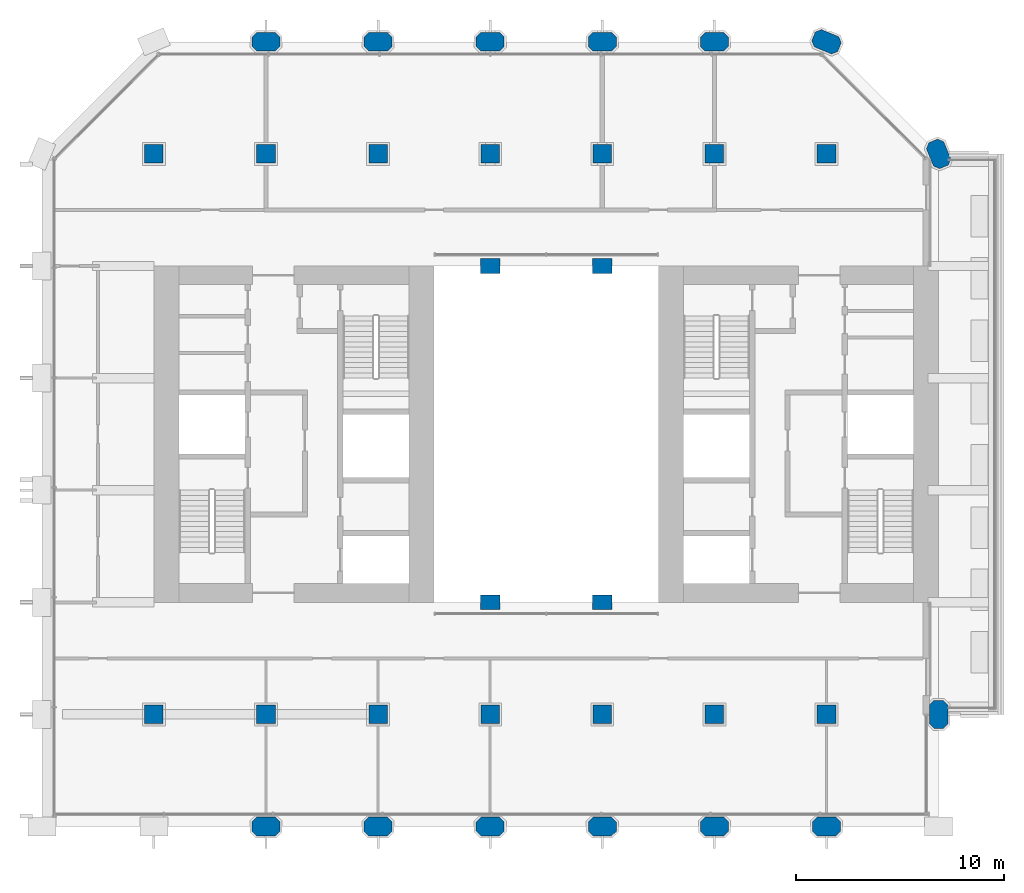
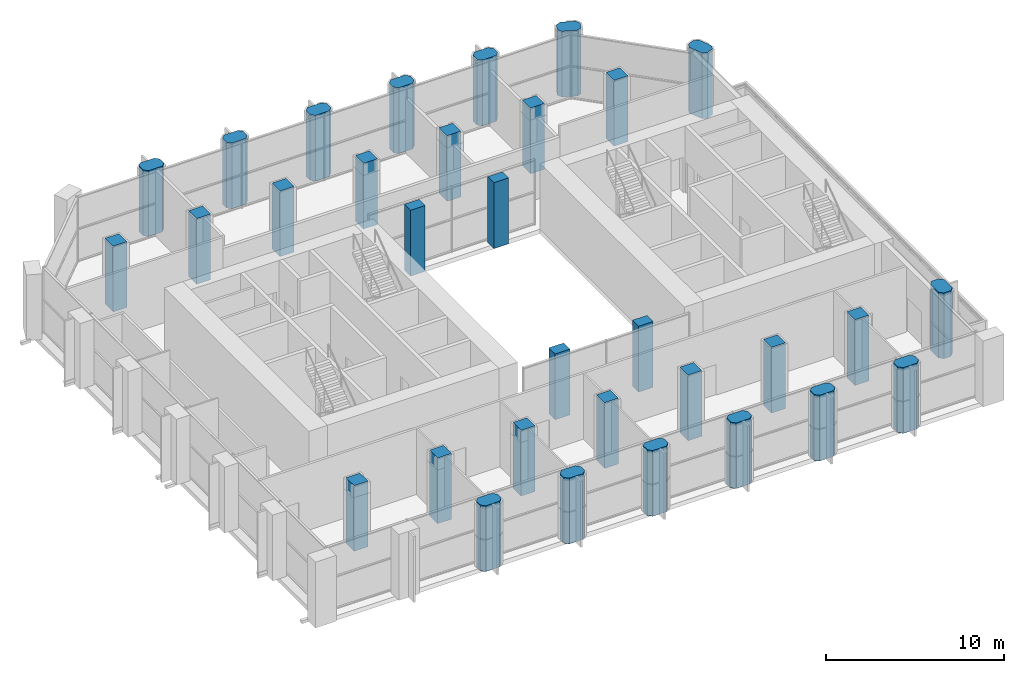
# One storey, part 1 of 15: 32 columns.
"""IFC4 building model written with IfcOpenShell, lengths in metres."""

from ifc_helpers import new_model, si_unit, direction, frame, origin, origin_2d, place, context, subcontext, project, spatial, polyline, rectangle, outline, extrude, material, material_profile, profile_set, type_object, element, save


model = new_model("IFC4")

# Units and contexts
model_context = context("Model", 3, precision=1e-05, world=origin(), true_north=direction((0.0, 1.0)))
body_context = subcontext(model_context, "Body", "Model", "MODEL_VIEW")
ifc_project = project(units=[si_unit("LENGTHUNIT", "METRE"), si_unit("AREAUNIT", "SQUARE_METRE"), si_unit("VOLUMEUNIT", "CUBIC_METRE"), si_unit("PLANEANGLEUNIT", "RADIAN"), si_unit("MASSUNIT", "GRAM", prefix="KILO")], contexts=[model_context])

# Site, building, storey
site_placement = place(None, origin())
site = spatial("IfcSite", under=ifc_project, at=site_placement, CompositionType="ELEMENT")
building_placement = place(site_placement, origin())
building = spatial("IfcBuilding", under=site, at=building_placement, Name="Tabaq Tower and Sports Hall", CompositionType="ELEMENT")
storey_placement = place(building_placement, frame((0.0, 0.0, 143.199951171875)))
storey = spatial("IfcBuildingStorey", under=building, at=storey_placement, Name="L33", CompositionType="ELEMENT", Elevation=143.199951171875)

# Columns
ifc_material_1 = material(Name="Concrete C50/60", Category="concrete")
ifc_material_profile_1 = material_profile(ifc_material_1, rectangle(XDim=0.949951171875, YDim=0.699951171875, at=origin_2d()), Name="ATRIUM COLUMN 950x700")
ifc_profile_set_1 = profile_set([ifc_material_profile_1], Name="Concrete C50/60")
column_type_1 = type_object("IfcColumnType", Name="RC COLUMN ATRIUM COLUMN 950x700 C50/60", PredefinedType="COLUMN", material=ifc_profile_set_1)
for number, where, z_axis, x_axis, name in (
    (1, (21.60009765625, 16.199951171875, 0.0), (0.0, 0.0, 1.0), (1.0, 0.0, 0.0), "Atrium Column 5/D L33"),
    (2, (27.0, 16.199951171875, 0.0), (0.0, 0.0, 1.0), (1.0, 0.0, 0.0), "Atrium Column 6/D L33"),
    (3, (21.60009765625, 32.39990234375, 0.0), (0.0, 0.0, 1.0), (1.0, 0.0, 0.0), "Atrium Column 5/G L33"),
    (4, (27.0, 32.39990234375, 0.0), (0.0, 0.0, 1.0), (1.0, 0.0, 0.0), "Atrium Column 6/G L33"),
):
    element("IfcColumn", number, at=place(storey_placement, frame(where, z_axis=z_axis, x_axis=x_axis)), inside=storey, type_object=column_type_1, Name=name, PredefinedType="COLUMN", context=body_context, shape_type="SweptSolid", body=[
        extrude(rectangle(XDim=0.949951171875, YDim=0.699951171875, at=origin_2d()), origin(), (0.0, 0.0, 1.0), 4.5),
    ])
ifc_material_2 = material(Name="Concrete C50/60", Category="concrete")
ifc_material_profile_2 = material_profile(ifc_material_2, rectangle(XDim=0.89990234375, YDim=0.89990234375, at=origin_2d()), Name="COLUMN 900x900")
ifc_profile_set_2 = profile_set([ifc_material_profile_2], Name="Concrete C50/60")
column_type_2 = type_object("IfcColumnType", Name="RC COLUMN COLUMN 900x900 C50/60", PredefinedType="COLUMN", material=ifc_profile_set_2)
for number, where, z_axis, x_axis, name in (
    (5, (5.39990234375, 10.800048828125, 0.0), (0.0, 0.0, 1.0), (1.0, 0.0, 0.0), "Column 2/C L33"),
    (6, (10.800048828125, 10.800048828125, 0.0), (0.0, 0.0, 1.0), (1.0, 0.0, 0.0), "Column 3/C L33"),
    (7, (16.199951171875, 10.800048828125, 0.0), (0.0, 0.0, 1.0), (1.0, 0.0, 0.0), "Column 4/C L33"),
    (8, (21.60009765625, 10.800048828125, 0.0), (0.0, 0.0, 1.0), (1.0, 0.0, 0.0), "Column 5/C L33"),
    (9, (27.0, 10.800048828125, 0.0), (0.0, 0.0, 1.0), (1.0, 0.0, 0.0), "Column 6/C L33"),
    (10, (32.39990234375, 10.800048828125, 0.0), (0.0, 0.0, 1.0), (1.0, 0.0, 0.0), "Column 7/C L33"),
    (11, (37.800048828125, 10.800048828125, 0.0), (0.0, 0.0, 1.0), (1.0, 0.0, 0.0), "Column 8/C L33"),
    (12, (5.39990234375, 37.800048828125, 0.0), (0.0, 0.0, 1.0), (1.0, 0.0, 0.0), "Column 2/H L33"),
    (13, (10.800048828125, 37.800048828125, 0.0), (0.0, 0.0, 1.0), (1.0, 0.0, 0.0), "Column 3/H L33"),
    (14, (16.199951171875, 37.800048828125, 0.0), (0.0, 0.0, 1.0), (1.0, 0.0, 0.0), "Column 4/H L33"),
    (15, (21.60009765625, 37.800048828125, 0.0), (0.0, 0.0, 1.0), (1.0, 0.0, 0.0), "Column 5/H L33"),
    (16, (27.0, 37.800048828125, 0.0), (0.0, 0.0, 1.0), (1.0, 0.0, 0.0), "Column 6/H L33"),
    (17, (32.39990234375, 37.800048828125, 0.0), (0.0, 0.0, 1.0), (1.0, 0.0, 0.0), "Column 7/H L33"),
    (18, (37.800048828125, 37.800048828125, 0.0), (0.0, 0.0, 1.0), (1.0, 0.0, 0.0), "Column 8/H L33"),
):
    element("IfcColumn", number, at=place(storey_placement, frame(where, z_axis=z_axis, x_axis=x_axis)), inside=storey, type_object=column_type_2, Name=name, PredefinedType="COLUMN", context=body_context, shape_type="SweptSolid", body=[
        extrude(rectangle(XDim=0.89990234375, YDim=0.89990234375, at=origin_2d()), origin(), (0.0, 0.0, 1.0), 4.5),
    ])
ifc_material_3 = material(Name="Concrete C50/60", Category="concrete")
ifc_material_profile_3 = material_profile(ifc_material_3, outline(polyline([(-0.449951171875, -0.449951171875), (0.449951171875, -0.449951171875), (0.675048828125, -0.22509765625), (0.675048828125, 0.22509765625), (0.449951171875, 0.449951171875), (-0.449951171875, 0.449951171875), (-0.675048828125, 0.22509765625), (-0.675048828125, -0.22509765625), (-0.449951171875, -0.449951171875)])), Name="PIER 1350x900")
ifc_profile_set_3 = profile_set([ifc_material_profile_3], Name="Concrete C50/60")
column_type_3 = type_object("IfcColumnType", Name="RC COLUMN PIER 1350x900 C50/60", PredefinedType="COLUMN", material=ifc_profile_set_3)
for number, where, z_axis, x_axis, name in (
    (19, (10.800048828125, 5.39990234375, 0.0), (0.0, 0.0, 1.0), (1.0, 0.0, 0.0), "Pier 3/B L33"),
    (20, (16.199951171875, 5.39990234375, 0.0), (0.0, 0.0, 1.0), (1.0, 0.0, 0.0), "Pier 4/B L33"),
    (21, (21.60009765625, 5.39990234375, 0.0), (0.0, 0.0, 1.0), (1.0, 0.0, 0.0), "Pier 5/B L33"),
    (22, (27.0, 5.39990234375, 0.0), (0.0, 0.0, 1.0), (1.0, 0.0, 0.0), "Pier 6/B L33"),
    (23, (32.39990234375, 5.39990234375, 0.0), (0.0, 0.0, 1.0), (1.0, 0.0, 0.0), "Pier 7/B L33"),
    (24, (37.800048828125, 5.39990234375, 0.0), (0.0, 0.0, 1.0), (1.0, 0.0, 0.0), "Pier 8/B L33"),
    (25, (43.199951171875, 10.800048828125, 0.0), (0.0, 0.0, 1.0), (0.0, 1.0, 0.0), "Pier 9/C L33"),
    (26, (43.199951171875, 37.800048828125, 0.0), (0.0, 0.0, 1.0), (-0.382683432365, 0.923879532511, 0.0), "Pier 9/H L33"),
    (27, (10.800048828125, 43.199951171875, 0.0), (0.0, 0.0, 1.0), (1.0, 0.0, 0.0), "Pier 3/I L33"),
    (28, (16.199951171875, 43.199951171875, 0.0), (0.0, 0.0, 1.0), (1.0, 0.0, 0.0), "Pier 4/I L33"),
    (29, (21.60009765625, 43.199951171875, 0.0), (0.0, 0.0, 1.0), (1.0, 0.0, 0.0), "Pier 5/I L33"),
    (30, (27.0, 43.199951171875, 0.0), (0.0, 0.0, 1.0), (1.0, 0.0, 0.0), "Pier 6/I L33"),
    (31, (32.39990234375, 43.199951171875, 0.0), (0.0, 0.0, 1.0), (1.0, 0.0, 0.0), "Pier 7/I L33"),
    (32, (37.800048828125, 43.199951171875, 0.0), (0.0, 0.0, 1.0), (-0.923879532511, 0.382683432365, 0.0), "Pier 8/I L33"),
):
    element("IfcColumn", number, at=place(storey_placement, frame(where, z_axis=z_axis, x_axis=x_axis)), inside=storey, type_object=column_type_3, Name=name, PredefinedType="COLUMN", context=body_context, shape_type="SweptSolid", body=[
        extrude(outline(polyline([(-0.449951171875, -0.449951171875), (0.449951171875, -0.449951171875), (0.675048828125, -0.22509765625), (0.675048828125, 0.22509765625), (0.449951171875, 0.449951171875), (-0.449951171875, 0.449951171875), (-0.675048828125, 0.22509765625), (-0.675048828125, -0.22509765625), (-0.449951171875, -0.449951171875)])), origin(), (0.0, 0.0, 1.0), 4.5),
    ])

save(model, "model.ifc")
